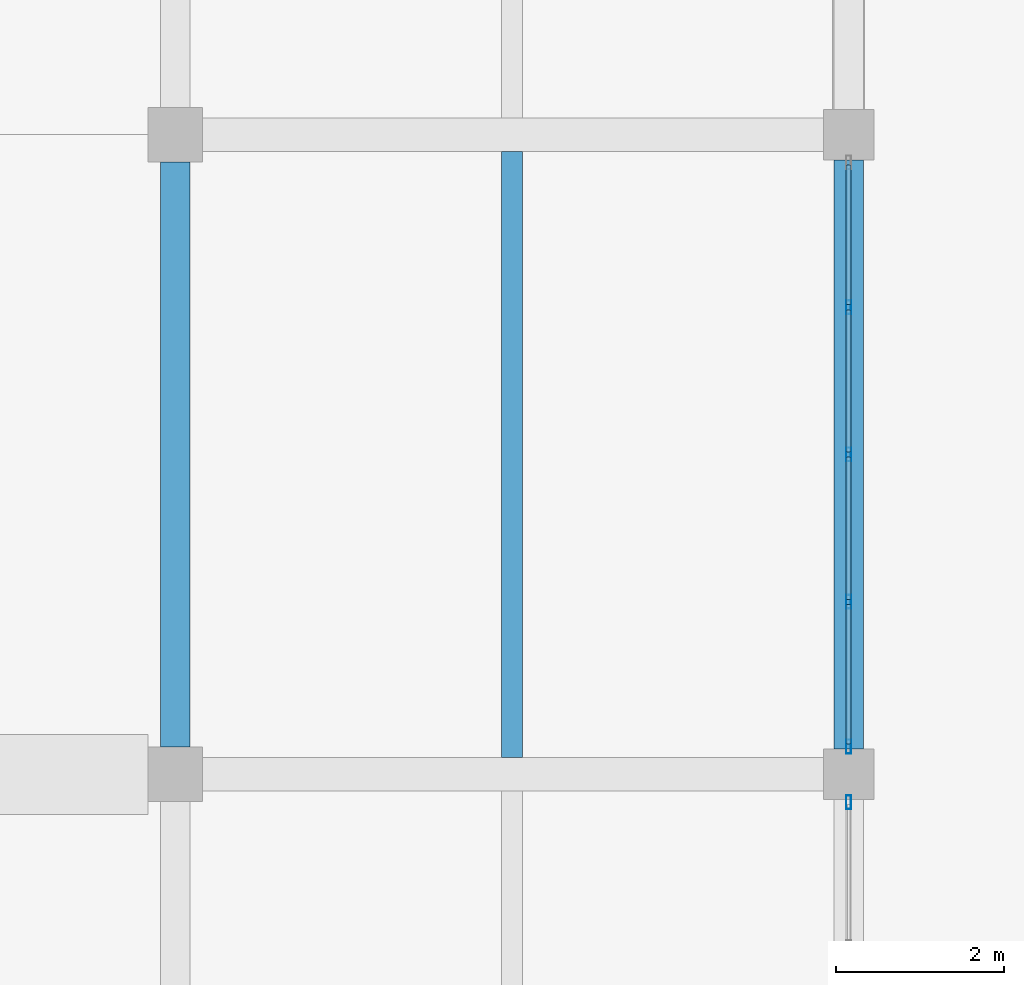
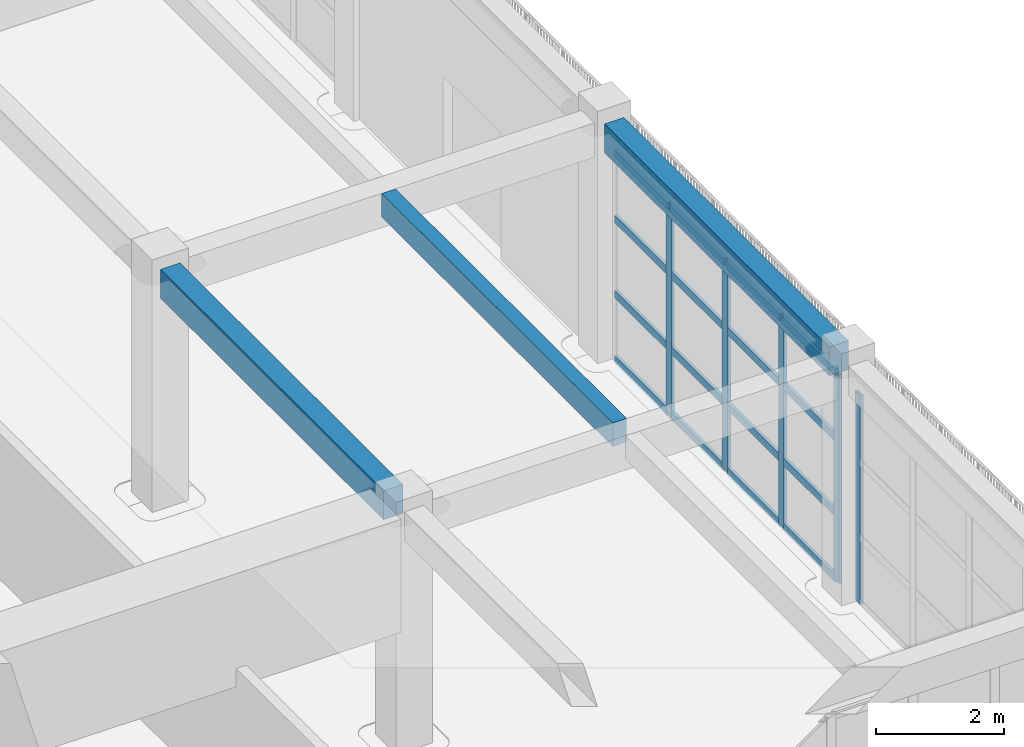
# One storey, part 22 of 50: 21 members, 3 beams, 2 elements without a shape of their own.
"""IFC4 building model written with IfcOpenShell, lengths in metres."""

import ifcopenshell
import ifcopenshell.guid

model = None  # the IFC model being written
_history = None  # IfcOwnerHistory: only IFC2X3 demands one
_inside = {}  # id of a spatial element -> (the spatial element, [elements in it])
_under = {}  # id of a project, library or spatial element -> (it, [spatial elements below it])
_declared = {}  # id of a project -> (the project, [libraries it declares])
_typed = {}  # id of a type object -> (the type object, [elements of that type])
_made_of = {}  # id of a material, layer set ... -> (it, [elements and type objects made of it])


def new_model(schema):
    """Start an empty IFC model of exactly this schema.

    Asked for "IFC4X3", IfcOpenShell would pick the latest addendum, in which some entities
    have other attributes; the version numbers below select the first issue.
    IFC2X3 requires an IfcOwnerHistory on every rooted entity: one is made here for all.
    """
    global model, _history
    if schema == "IFC4X3":
        model = ifcopenshell.file(schema_version=(4, 3, 0, 0))
    else:
        model = ifcopenshell.file(schema=schema)
    _inside.clear()
    _under.clear()
    _declared.clear()
    _typed.clear()
    _made_of.clear()
    _history = None
    if model.schema == "IFC2X3":
        org = make("IfcOrganization", Name="unknown")
        user = make(
            "IfcPersonAndOrganization",
            ThePerson=make("IfcPerson", FamilyName="unknown"),
            TheOrganization=org,
        )
        app = make(
            "IfcApplication",
            ApplicationDeveloper=org,
            Version="unknown",
            ApplicationFullName="unknown",
            ApplicationIdentifier="unknown",
        )
        _history = make(
            "IfcOwnerHistory",
            OwningUser=user,
            OwningApplication=app,
            ChangeAction="ADDED",
            CreationDate=0,
        )
    return model


def make(cls, **values):
    """One entity of the class cls with the attributes given. An attribute that is None is left unset."""
    return model.create_entity(
        cls, **{name: value for name, value in values.items() if value is not None}
    )


def rooted(cls, **values):
    """An entity with a GlobalId (a new one), such as an element, a storey or a relation."""
    return make(cls, GlobalId=ifcopenshell.guid.new(), OwnerHistory=_history, **values)


def si_unit(unit_type, name, prefix=None):
    """IfcSIUnit, for example si_unit("LENGTHUNIT", "METRE", prefix="MILLI")."""
    return make("IfcSIUnit", UnitType=unit_type, Prefix=prefix, Name=name)


def assignment(units):
    """IfcUnitAssignment: the units of a project."""
    return None if units is None else make("IfcUnitAssignment", Units=units)


def point(xyz):
    """IfcCartesianPoint."""
    return None if xyz is None else make("IfcCartesianPoint", Coordinates=xyz)


def direction(xyz):
    """IfcDirection."""
    return None if xyz is None else make("IfcDirection", DirectionRatios=xyz)


def frame(location, z_axis=None, x_axis=None):
    """IfcAxis2Placement3D, a coordinate frame: its origin and axes. An axis left out is left unset."""
    return make(
        "IfcAxis2Placement3D",
        Location=point(location),
        Axis=direction(z_axis),
        RefDirection=direction(x_axis),
    )


def frame_2d(location, x_axis=None):
    """IfcAxis2Placement2D, a coordinate frame in the plane: its origin and x axis."""
    return make(
        "IfcAxis2Placement2D", Location=point(location), RefDirection=direction(x_axis)
    )


def origin():
    """The frame at (0, 0, 0) with its axes left unset."""
    return frame((0.0, 0.0, 0.0))


def origin_2d():
    """The frame at (0, 0) in the plane with its x axis left unset."""
    return frame_2d((0.0, 0.0))


def place(relative_to, where):
    """IfcLocalPlacement: puts the frame where relative to a parent placement (None: the world)."""
    return make(
        "IfcLocalPlacement", PlacementRelTo=relative_to, RelativePlacement=where
    )


def context(
    kind, dimensions, precision=None, world=None, true_north=None, identifier=None
):
    """IfcGeometricRepresentationContext, for example the 3D "Model" context."""
    return make(
        "IfcGeometricRepresentationContext",
        ContextIdentifier=identifier,
        ContextType=kind,
        CoordinateSpaceDimension=dimensions,
        Precision=precision,
        WorldCoordinateSystem=world,
        TrueNorth=true_north,
    )


def subcontext(parent, identifier, kind, view, scale=None):
    """IfcGeometricRepresentationSubContext, for example "Body" below "Model"."""
    return make(
        "IfcGeometricRepresentationSubContext",
        ContextIdentifier=identifier,
        ContextType=kind,
        ParentContext=parent,
        TargetScale=scale,
        TargetView=view,
    )


def project(units=None, contexts=None):
    """IfcProject with its units and contexts."""
    return rooted(
        "IfcProject",
        Name="project",
        RepresentationContexts=contexts,
        UnitsInContext=assignment(units),
    )


def spatial(cls, under=None, at=None, **own):
    """A site, building, storey or space (cls), placed at a placement, below another one or the project."""
    s = rooted(cls, ObjectPlacement=at, **own)
    if under is not None:
        _under.setdefault(under.id(), (under, []))[1].append(s)
    return s


def profile(cls, at=None, kind="AREA", **sizes):
    """A parametric profile (cls). Its sizes go by their IFC names, for example OverallWidth=200.0."""
    return make(cls, ProfileType=kind, Position=at, **sizes)


def rectangle(**sizes):
    """IfcRectangleProfileDef."""
    return profile("IfcRectangleProfileDef", **sizes)


def hollow_rectangle(**sizes):
    """IfcRectangleHollowProfileDef."""
    return profile("IfcRectangleHollowProfileDef", **sizes)


def extrude(swept, where, along, depth):
    """IfcExtrudedAreaSolid: the profile swept, set in the frame where, extruded along a direction by depth."""
    return make(
        "IfcExtrudedAreaSolid",
        SweptArea=swept,
        Position=where,
        ExtrudedDirection=direction(along),
        Depth=depth,
    )


def shape(context_of_items, identifier, shape_type, items):
    """IfcShapeRepresentation: the items that make up one representation, for example the "Body"."""
    return make(
        "IfcShapeRepresentation",
        ContextOfItems=context_of_items,
        RepresentationIdentifier=identifier,
        RepresentationType=shape_type,
        Items=items,
    )


def material(Name=None, Category=None):
    """IfcMaterial."""
    return make("IfcMaterial", Name=Name, Category=Category)


def material_profile(
    of_material, cross_section, Name=None, Category=None, Priority=None
):
    """IfcMaterialProfile: a cross section and its material."""
    return make(
        "IfcMaterialProfile",
        Name=Name,
        Material=of_material,
        Profile=cross_section,
        Priority=Priority,
        Category=Category,
    )


def profile_set(profiles, Name=None, composite=None):
    """IfcMaterialProfileSet."""
    return make(
        "IfcMaterialProfileSet",
        Name=Name,
        MaterialProfiles=profiles,
        CompositeProfile=composite,
    )


def made_of(thing, what):
    """Note that an element or type object is made of a material, layer set ...; save() writes the relation."""
    if what is not None:
        _made_of.setdefault(what.id(), (what, []))[1].append(thing)
    return thing


def type_object(cls, material=None, **own):
    """A type object (cls), such as IfcWallType, which elements share."""
    return made_of(rooted(cls, **own), material)


def element(
    cls,
    number,
    at=None,
    inside=None,
    cuts=None,
    type_object=None,
    material=None,
    context=None,
    identifier="Body",
    shape_type=None,
    held_by="IfcProductDefinitionShape",
    body=None,
    shapes=None,
    **own,
):
    """One element of the class cls, such as IfcWall. Its Tag is "e" and its number.

    at: its placement. inside: the storey or other place that contains it. cuts: it is an
    opening in that element (IfcRelVoidsElement). A single representation is given by context,
    identifier, shape_type and body (its items); several are given by shapes. held_by: the class
    of the entity that holds the representations. save() writes the other relations.
    """
    e = rooted(cls, Tag="e%d" % number, ObjectPlacement=at, **own)
    if body is not None:
        shapes = [shape(context, identifier, shape_type, body)]
    if shapes is not None:
        e.Representation = make(held_by, Representations=shapes)
    if inside is not None:
        _inside.setdefault(inside.id(), (inside, []))[1].append(e)
    if cuts is not None:
        rooted(
            "IfcRelVoidsElement", RelatingBuildingElement=cuts, RelatedOpeningElement=e
        )
    if type_object is not None:
        _typed.setdefault(type_object.id(), (type_object, []))[1].append(e)
    return made_of(e, material)


def aggregate(whole, parts):
    """IfcRelAggregates: a whole, such as a stair, and the parts it consists of."""
    return rooted("IfcRelAggregates", RelatingObject=whole, RelatedObjects=parts)


def save(model, path):
    """Write the relations noted so far, then the file.

    IfcRelAggregates (storeys below a building ...), IfcRelContainedInSpatialStructure (elements
    in a storey), IfcRelDefinesByType, IfcRelAssociatesMaterial and IfcRelDeclares: one each for
    every whole, place, type object, material and project.
    """
    for whole, parts in _under.values():
        aggregate(whole, parts)
    for where, things in _inside.values():
        rooted(
            "IfcRelContainedInSpatialStructure",
            RelatedElements=things,
            RelatingStructure=where,
        )
    for kind, things in _typed.values():
        rooted("IfcRelDefinesByType", RelatedObjects=things, RelatingType=kind)
    for what, things in _made_of.values():
        rooted("IfcRelAssociatesMaterial", RelatedObjects=things, RelatingMaterial=what)
    for by, libraries in _declared.values():
        rooted("IfcRelDeclares", RelatingContext=by, RelatedDefinitions=libraries)
    model.write(path)


model = new_model("IFC4")

# Units and contexts
model_context = context("Model", 3, precision=1e-05, world=origin(), true_north=direction((0.0, 1.0)))
body_context = subcontext(model_context, "Body", "Model", "MODEL_VIEW")
ifc_project = project(units=[si_unit("LENGTHUNIT", "METRE"), si_unit("AREAUNIT", "SQUARE_METRE"), si_unit("VOLUMEUNIT", "CUBIC_METRE"), si_unit("PLANEANGLEUNIT", "RADIAN"), si_unit("MASSUNIT", "GRAM", prefix="KILO")], contexts=[model_context])

# Site, building, storey
site_placement = place(None, origin())
site = spatial("IfcSite", under=ifc_project, at=site_placement, CompositionType="ELEMENT")
building_placement = place(site_placement, origin())
building = spatial("IfcBuilding", under=site, at=building_placement, Name="Zantavel Square City Hall", CompositionType="ELEMENT")
storey_placement = place(building_placement, frame((0.0, 0.0, 18.89990234375)))
storey = spatial("IfcBuildingStorey", under=building, at=storey_placement, Name="L05", CompositionType="ELEMENT", Elevation=18.89990234375)

# Curtain wall, members
ifc_material_1 = material(Name="Anodised aluminium 6063-T6", Category="aluminium")
curtain_wall_type = type_object("IfcCurtainWallType", Name="Curtain Wall TRV1 7000x3970", PredefinedType="USERDEFINED", material=ifc_material_1)
curtain_wall_1_placement = place(storey_placement, origin())
curtain_wall_1 = element("IfcCurtainWall", 1, at=curtain_wall_1_placement, inside=storey, type_object=curtain_wall_type, Name="L05 Glazed Curtain Wall CW-L05-131", ObjectType="GLAZED CURTAIN WALL", PredefinedType="USERDEFINED")
ifc_material_profile_1 = material_profile(ifc_material_1, hollow_rectangle(XDim=0.06005859375, YDim=0.1650390625, WallThickness=0.00390625, at=origin_2d()), Name="ALU 60x165x4")
ifc_profile_set_1 = profile_set([ifc_material_profile_1], Name="Anodised aluminium 6063-T6")
member_type_1 = type_object("IfcMemberType", Name="CW Council Gallery Mullion ALU 60x165x4", PredefinedType="MULLION", material=ifc_profile_set_1)
member_1_placement = place(storey_placement, frame((112.0, 43.550048828125, 0.0), z_axis=(0.0, 0.0, 1.0), x_axis=(1.0, 0.0, 0.0)))
member_1 = element("IfcMember", 2, at=member_1_placement, type_object=member_type_1, Name="CW-131 mullion 2", PredefinedType="MULLION", context=body_context, shape_type="SweptSolid", body=[
    extrude(hollow_rectangle(XDim=0.06005859375, YDim=0.1650390625, WallThickness=0.00390625, at=origin_2d()), origin(), (0.0, 0.0, 1.0), 3.97021484375),
])
member_2_placement = place(storey_placement, frame((112.0, 41.800048828125, 0.0), z_axis=(0.0, 0.0, 1.0), x_axis=(1.0, 0.0, 0.0)))
member_2 = element("IfcMember", 3, at=member_2_placement, type_object=member_type_1, Name="CW-131 mullion 3", PredefinedType="MULLION", context=body_context, shape_type="SweptSolid", body=[
    extrude(hollow_rectangle(XDim=0.06005859375, YDim=0.1650390625, WallThickness=0.00390625, at=origin_2d()), origin(), (0.0, 0.0, 1.0), 3.97021484375),
])
member_3_placement = place(storey_placement, frame((112.0, 40.050048828125, 0.0), z_axis=(0.0, 0.0, 1.0), x_axis=(1.0, 0.0, 0.0)))
member_3 = element("IfcMember", 4, at=member_3_placement, type_object=member_type_1, Name="CW-131 mullion 4", PredefinedType="MULLION", context=body_context, shape_type="SweptSolid", body=[
    extrude(hollow_rectangle(XDim=0.06005859375, YDim=0.1650390625, WallThickness=0.00390625, at=origin_2d()), origin(), (0.0, 0.0, 1.0), 3.97021484375),
])
member_4_placement = place(storey_placement, frame((112.0, 38.330078125, 0.0), z_axis=(0.0, 0.0, 1.0), x_axis=(1.0, 0.0, 0.0)))
member_4 = element("IfcMember", 5, at=member_4_placement, type_object=member_type_1, Name="CW-131 mullion 5", PredefinedType="MULLION", context=body_context, shape_type="SweptSolid", body=[
    extrude(hollow_rectangle(XDim=0.06005859375, YDim=0.1650390625, WallThickness=0.00390625, at=origin_2d()), origin(), (0.0, 0.0, 1.0), 3.97021484375),
])

# Curtain wall, member
curtain_wall_2_placement = place(storey_placement, origin())
curtain_wall_2 = element("IfcCurtainWall", 6, at=curtain_wall_2_placement, inside=storey, type_object=curtain_wall_type, Name="L05 Glazed Curtain Wall CW-L05-132", ObjectType="GLAZED CURTAIN WALL", PredefinedType="USERDEFINED")
member_5_placement = place(storey_placement, frame((112.0, 37.669921875, 0.0), z_axis=(0.0, 0.0, 1.0), x_axis=(1.0, 0.0, 0.0)))
member_5 = element("IfcMember", 7, at=member_5_placement, type_object=member_type_1, Name="CW-132 mullion 1", PredefinedType="MULLION", context=body_context, shape_type="SweptSolid", body=[
    extrude(hollow_rectangle(XDim=0.06005859375, YDim=0.1650390625, WallThickness=0.00390625, at=origin_2d()), origin(), (0.0, 0.0, 1.0), 3.97021484375),
])
aggregate(curtain_wall_2, [member_5])

# Member
ifc_material_profile_2 = material_profile(ifc_material_1, hollow_rectangle(XDim=0.06005859375, YDim=0.139892578125, WallThickness=0.00390625, at=origin_2d()), Name="ALU 60x140x4")
ifc_profile_set_2 = profile_set([ifc_material_profile_2], Name="Anodised aluminium 6063-T6")
member_type_2 = type_object("IfcMemberType", Name="CW Transom ALU 60x140x4", PredefinedType="USERDEFINED", material=ifc_profile_set_2)
member_6_placement = place(storey_placement, frame((112.0, 45.239990234375, 0.030029296875), z_axis=(0.0, -1.0, 0.0), x_axis=(1.0, 0.0, 0.0)))
member_6 = element("IfcMember", 8, at=member_6_placement, type_object=member_type_2, Name="CW-131 transom 1.1", ObjectType="TRANSOM", PredefinedType="USERDEFINED", context=body_context, shape_type="SweptSolid", body=[
    extrude(hollow_rectangle(XDim=0.06005859375, YDim=0.139892578125, WallThickness=0.00390625, at=origin_2d()), origin(), (0.0, 0.0, 1.0), 1.659912109375),
])

member_7_placement = place(storey_placement, frame((112.0, 45.239990234375, 1.27001953125), z_axis=(0.0, -1.0, 0.0), x_axis=(1.0, 0.0, 0.0)))
member_7 = element("IfcMember", 9, at=member_7_placement, type_object=member_type_2, Name="CW-131 transom 1.2", ObjectType="TRANSOM", PredefinedType="USERDEFINED", context=body_context, shape_type="SweptSolid", body=[
    extrude(hollow_rectangle(XDim=0.06005859375, YDim=0.139892578125, WallThickness=0.00390625, at=origin_2d()), origin(), (0.0, 0.0, 1.0), 1.659912109375),
])

member_8_placement = place(storey_placement, frame((112.0, 45.239990234375, 2.7001953125), z_axis=(0.0, -1.0, 0.0), x_axis=(1.0, 0.0, 0.0)))
member_8 = element("IfcMember", 10, at=member_8_placement, type_object=member_type_2, Name="CW-131 transom 1.3", ObjectType="TRANSOM", PredefinedType="USERDEFINED", context=body_context, shape_type="SweptSolid", body=[
    extrude(hollow_rectangle(XDim=0.06005859375, YDim=0.139892578125, WallThickness=0.00390625, at=origin_2d()), origin(), (0.0, 0.0, 1.0), 1.659912109375),
])

member_9_placement = place(storey_placement, frame((112.0, 45.239990234375, 3.940185546875), z_axis=(0.0, -1.0, 0.0), x_axis=(1.0, 0.0, 0.0)))
member_9 = element("IfcMember", 11, at=member_9_placement, type_object=member_type_2, Name="CW-131 transom 1.4", ObjectType="TRANSOM", PredefinedType="USERDEFINED", context=body_context, shape_type="SweptSolid", body=[
    extrude(hollow_rectangle(XDim=0.06005859375, YDim=0.139892578125, WallThickness=0.00390625, at=origin_2d()), origin(), (0.0, 0.0, 1.0), 1.659912109375),
])

member_10_placement = place(storey_placement, frame((112.0, 43.52001953125, 0.030029296875), z_axis=(0.0, -1.0, 0.0), x_axis=(1.0, 0.0, 0.0)))
member_10 = element("IfcMember", 12, at=member_10_placement, type_object=member_type_2, Name="CW-131 transom 2.1", ObjectType="TRANSOM", PredefinedType="USERDEFINED", context=body_context, shape_type="SweptSolid", body=[
    extrude(hollow_rectangle(XDim=0.06005859375, YDim=0.139892578125, WallThickness=0.00390625, at=origin_2d()), origin(), (0.0, 0.0, 1.0), 1.68994140625),
])

member_11_placement = place(storey_placement, frame((112.0, 43.52001953125, 1.27001953125), z_axis=(0.0, -1.0, 0.0), x_axis=(1.0, 0.0, 0.0)))
member_11 = element("IfcMember", 13, at=member_11_placement, type_object=member_type_2, Name="CW-131 transom 2.2", ObjectType="TRANSOM", PredefinedType="USERDEFINED", context=body_context, shape_type="SweptSolid", body=[
    extrude(hollow_rectangle(XDim=0.06005859375, YDim=0.139892578125, WallThickness=0.00390625, at=origin_2d()), origin(), (0.0, 0.0, 1.0), 1.68994140625),
])

member_12_placement = place(storey_placement, frame((112.0, 43.52001953125, 2.7001953125), z_axis=(0.0, -1.0, 0.0), x_axis=(1.0, 0.0, 0.0)))
member_12 = element("IfcMember", 14, at=member_12_placement, type_object=member_type_2, Name="CW-131 transom 2.3", ObjectType="TRANSOM", PredefinedType="USERDEFINED", context=body_context, shape_type="SweptSolid", body=[
    extrude(hollow_rectangle(XDim=0.06005859375, YDim=0.139892578125, WallThickness=0.00390625, at=origin_2d()), origin(), (0.0, 0.0, 1.0), 1.68994140625),
])

member_13_placement = place(storey_placement, frame((112.0, 43.52001953125, 3.940185546875), z_axis=(0.0, -1.0, 0.0), x_axis=(1.0, 0.0, 0.0)))
member_13 = element("IfcMember", 15, at=member_13_placement, type_object=member_type_2, Name="CW-131 transom 2.4", ObjectType="TRANSOM", PredefinedType="USERDEFINED", context=body_context, shape_type="SweptSolid", body=[
    extrude(hollow_rectangle(XDim=0.06005859375, YDim=0.139892578125, WallThickness=0.00390625, at=origin_2d()), origin(), (0.0, 0.0, 1.0), 1.68994140625),
])

member_14_placement = place(storey_placement, frame((112.0, 41.77001953125, 0.030029296875), z_axis=(0.0, -1.0, 0.0), x_axis=(1.0, 0.0, 0.0)))
member_14 = element("IfcMember", 16, at=member_14_placement, type_object=member_type_2, Name="CW-131 transom 3.1", ObjectType="TRANSOM", PredefinedType="USERDEFINED", context=body_context, shape_type="SweptSolid", body=[
    extrude(hollow_rectangle(XDim=0.06005859375, YDim=0.139892578125, WallThickness=0.00390625, at=origin_2d()), origin(), (0.0, 0.0, 1.0), 1.68994140625),
])

member_15_placement = place(storey_placement, frame((112.0, 41.77001953125, 1.27001953125), z_axis=(0.0, -1.0, 0.0), x_axis=(1.0, 0.0, 0.0)))
member_15 = element("IfcMember", 17, at=member_15_placement, type_object=member_type_2, Name="CW-131 transom 3.2", ObjectType="TRANSOM", PredefinedType="USERDEFINED", context=body_context, shape_type="SweptSolid", body=[
    extrude(hollow_rectangle(XDim=0.06005859375, YDim=0.139892578125, WallThickness=0.00390625, at=origin_2d()), origin(), (0.0, 0.0, 1.0), 1.68994140625),
])

member_16_placement = place(storey_placement, frame((112.0, 41.77001953125, 2.7001953125), z_axis=(0.0, -1.0, 0.0), x_axis=(1.0, 0.0, 0.0)))
member_16 = element("IfcMember", 18, at=member_16_placement, type_object=member_type_2, Name="CW-131 transom 3.3", ObjectType="TRANSOM", PredefinedType="USERDEFINED", context=body_context, shape_type="SweptSolid", body=[
    extrude(hollow_rectangle(XDim=0.06005859375, YDim=0.139892578125, WallThickness=0.00390625, at=origin_2d()), origin(), (0.0, 0.0, 1.0), 1.68994140625),
])

member_17_placement = place(storey_placement, frame((112.0, 41.77001953125, 3.940185546875), z_axis=(0.0, -1.0, 0.0), x_axis=(1.0, 0.0, 0.0)))
member_17 = element("IfcMember", 19, at=member_17_placement, type_object=member_type_2, Name="CW-131 transom 3.4", ObjectType="TRANSOM", PredefinedType="USERDEFINED", context=body_context, shape_type="SweptSolid", body=[
    extrude(hollow_rectangle(XDim=0.06005859375, YDim=0.139892578125, WallThickness=0.00390625, at=origin_2d()), origin(), (0.0, 0.0, 1.0), 1.68994140625),
])

member_18_placement = place(storey_placement, frame((112.0, 40.02001953125, 0.030029296875), z_axis=(0.0, -1.0, 0.0), x_axis=(1.0, 0.0, 0.0)))
member_18 = element("IfcMember", 20, at=member_18_placement, type_object=member_type_2, Name="CW-131 transom 4.1", ObjectType="TRANSOM", PredefinedType="USERDEFINED", context=body_context, shape_type="SweptSolid", body=[
    extrude(hollow_rectangle(XDim=0.06005859375, YDim=0.139892578125, WallThickness=0.00390625, at=origin_2d()), origin(), (0.0, 0.0, 1.0), 1.659912109375),
])

member_19_placement = place(storey_placement, frame((112.0, 40.02001953125, 1.27001953125), z_axis=(0.0, -1.0, 0.0), x_axis=(1.0, 0.0, 0.0)))
member_19 = element("IfcMember", 21, at=member_19_placement, type_object=member_type_2, Name="CW-131 transom 4.2", ObjectType="TRANSOM", PredefinedType="USERDEFINED", context=body_context, shape_type="SweptSolid", body=[
    extrude(hollow_rectangle(XDim=0.06005859375, YDim=0.139892578125, WallThickness=0.00390625, at=origin_2d()), origin(), (0.0, 0.0, 1.0), 1.659912109375),
])

member_20_placement = place(storey_placement, frame((112.0, 40.02001953125, 2.7001953125), z_axis=(0.0, -1.0, 0.0), x_axis=(1.0, 0.0, 0.0)))
member_20 = element("IfcMember", 22, at=member_20_placement, type_object=member_type_2, Name="CW-131 transom 4.3", ObjectType="TRANSOM", PredefinedType="USERDEFINED", context=body_context, shape_type="SweptSolid", body=[
    extrude(hollow_rectangle(XDim=0.06005859375, YDim=0.139892578125, WallThickness=0.00390625, at=origin_2d()), origin(), (0.0, 0.0, 1.0), 1.659912109375),
])

member_21_placement = place(storey_placement, frame((112.0, 40.02001953125, 3.940185546875), z_axis=(0.0, -1.0, 0.0), x_axis=(1.0, 0.0, 0.0)))
member_21 = element("IfcMember", 23, at=member_21_placement, type_object=member_type_2, Name="CW-131 transom 4.4", ObjectType="TRANSOM", PredefinedType="USERDEFINED", context=body_context, shape_type="SweptSolid", body=[
    extrude(hollow_rectangle(XDim=0.06005859375, YDim=0.139892578125, WallThickness=0.00390625, at=origin_2d()), origin(), (0.0, 0.0, 1.0), 1.659912109375),
])

aggregate(curtain_wall_1, [member_1, member_2, member_3, member_4, member_6, member_7, member_8, member_9, member_10, member_11, member_12, member_13, member_14, member_15, member_16, member_17, member_18, member_19, member_20, member_21])

# Beams
ifc_material_2 = material(Name="Concrete C35/45", Category="concrete")
ifc_material_profile_3 = material_profile(ifc_material_2, rectangle(XDim=0.25, YDim=0.449951171875, at=origin_2d()), Name="RC 250x450")
ifc_profile_set_3 = profile_set([ifc_material_profile_3], Name="Concrete C35/45")
beam_type_1 = type_object("IfcBeamType", Name="Light Floor Joist RC 250x450 C35/45", PredefinedType="JOIST", material=ifc_profile_set_3)
beam_1_placement = place(storey_placement, frame((108.0, 38.199951171875, 4.295166015625), z_axis=(0.0, 1.0, 0.0), x_axis=(-1.0, 0.0, 0.0)))
element("IfcBeam", 24, at=beam_1_placement, inside=storey, type_object=beam_type_1, Name="L05 Floor Joist JST-L05-1080-0380", PredefinedType="JOIST", context=body_context, shape_type="SweptSolid", body=[
    extrude(rectangle(XDim=0.25, YDim=0.449951171875, at=origin_2d()), origin(), (0.0, 0.0, 1.0), 7.199951171875),
])
ifc_material_profile_4 = material_profile(ifc_material_2, rectangle(XDim=0.35009765625, YDim=0.550048828125, at=origin_2d()), Name="RC 350x550")
ifc_profile_set_4 = profile_set([ifc_material_profile_4], Name="Concrete C35/45")
beam_type_2 = type_object("IfcBeamType", Name="Secondary Beam RC 350x550 C35/45", PredefinedType="BEAM", material=ifc_profile_set_4)
beam_2_placement = place(storey_placement, frame((104.0, 38.324951171875, 4.295166015625), z_axis=(0.0, 1.0, 0.0), x_axis=(-1.0, 0.0, 0.0)))
element("IfcBeam", 25, at=beam_2_placement, inside=storey, type_object=beam_type_2, Name="L05 Beam BMY-L05-1040-0380", PredefinedType="BEAM", context=body_context, shape_type="SweptSolid", body=[
    extrude(rectangle(XDim=0.35009765625, YDim=0.550048828125, at=origin_2d()), origin(), (0.0, 0.0, 1.0), 6.949951171875),
])
beam_3_placement = place(storey_placement, frame((112.0, 38.300048828125, 4.2451171875), z_axis=(0.0, 1.0, 0.0), x_axis=(-1.0, 0.0, 0.0)))
element("IfcBeam", 26, at=beam_3_placement, inside=storey, type_object=beam_type_2, Name="L05 Beam BMY-L05-1120-0380", PredefinedType="BEAM", context=body_context, shape_type="SweptSolid", body=[
    extrude(rectangle(XDim=0.35009765625, YDim=0.550048828125, at=origin_2d()), origin(), (0.0, 0.0, 1.0), 7.0),
])

save(model, "model.ifc")
